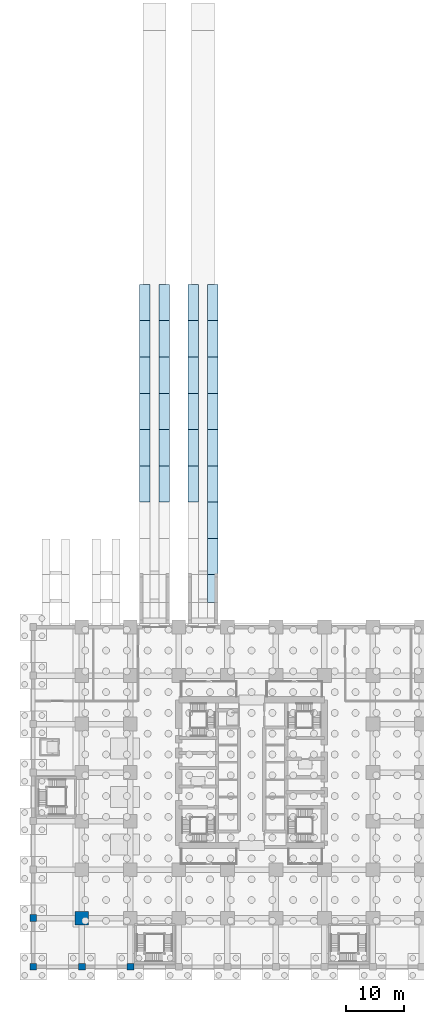
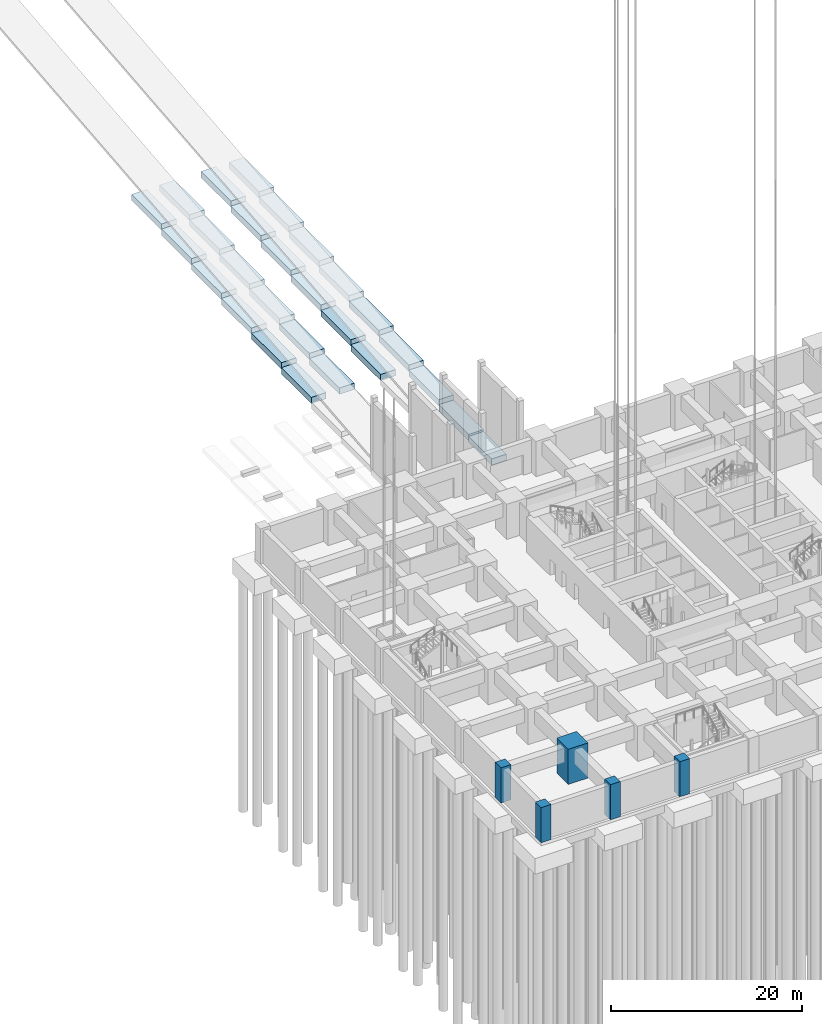
# One storey, part 3 of 28: 27 footings, 5 columns.
"""IFC4 building model written with IfcOpenShell, lengths in metres."""

from ifc_helpers import new_model, si_unit, direction, frame, origin, origin_2d, place, context, subcontext, project, spatial, rectangle, extrude, material, material_profile, profile_set, type_object, element, save


model = new_model("IFC4")

# Units and contexts
model_context = context("Model", 3, precision=1e-05, world=origin(), true_north=direction((0.0, 1.0)))
body_context = subcontext(model_context, "Body", "Model", "MODEL_VIEW")
ifc_project = project(units=[si_unit("LENGTHUNIT", "METRE"), si_unit("AREAUNIT", "SQUARE_METRE"), si_unit("VOLUMEUNIT", "CUBIC_METRE"), si_unit("PLANEANGLEUNIT", "RADIAN"), si_unit("MASSUNIT", "GRAM", prefix="KILO")], contexts=[model_context])

# Site, building, storey
site_placement = place(None, origin())
site = spatial("IfcSite", under=ifc_project, at=site_placement, CompositionType="ELEMENT")
building_placement = place(site_placement, origin())
building = spatial("IfcBuilding", under=site, at=building_placement, Name="Rekha Terrace Tower", CompositionType="ELEMENT")
storey_placement = place(building_placement, frame((0.0, 0.0, -9.89990234375)))
storey = spatial("IfcBuildingStorey", under=building, at=storey_placement, Name="B-02", CompositionType="ELEMENT", Elevation=-9.89990234375)

# Footings
ifc_material_1 = material(Name="Concrete M40", Category="concrete")
footing_type = type_object("IfcFootingType", Name="FS2 1800x800 strip footing", PredefinedType="STRIP_FOOTING", material=ifc_material_1)
for number, where, z_axis, x_axis, name in (
    (1, (19.300048828125, 83.60009765625, 0.39599609375), (0.0, 0.0, 1.0), (1.0, 0.0, 0.0), "Ramp 3 strip footing FS2 W5"),
    (2, (19.300048828125, 89.8798828125, 1.02392578125), (0.0, 0.0, 1.0), (1.0, 0.0, 0.0), "Ramp 3 strip footing FS2 W6"),
    (3, (19.300048828125, 96.159912109375, 1.65185546875), (0.0, 0.0, 1.0), (1.0, 0.0, 0.0), "Ramp 3 strip footing FS2 W7"),
    (4, (19.300048828125, 102.43994140625, 2.27978515625), (0.0, 0.0, 1.0), (1.0, 0.0, 0.0), "Ramp 3 strip footing FS2 W8"),
    (5, (19.300048828125, 108.719970703125, 2.90771484375), (0.0, 0.0, 1.0), (1.0, 0.0, 0.0), "Ramp 3 strip footing FS2 W9"),
    (6, (19.300048828125, 115.0, 3.53564453125), (0.0, 0.0, 1.0), (1.0, 0.0, 0.0), "Ramp 3 strip footing FS2 W10"),
    (7, (22.699951171875, 83.60009765625, 0.39599609375), (0.0, 0.0, 1.0), (1.0, 0.0, 0.0), "Ramp 3 strip footing FS2 E5"),
    (8, (22.699951171875, 89.8798828125, 1.02392578125), (0.0, 0.0, 1.0), (1.0, 0.0, 0.0), "Ramp 3 strip footing FS2 E6"),
    (9, (22.699951171875, 96.159912109375, 1.65185546875), (0.0, 0.0, 1.0), (1.0, 0.0, 0.0), "Ramp 3 strip footing FS2 E7"),
    (10, (22.699951171875, 102.43994140625, 2.27978515625), (0.0, 0.0, 1.0), (1.0, 0.0, 0.0), "Ramp 3 strip footing FS2 E8"),
    (11, (22.699951171875, 108.719970703125, 2.90771484375), (0.0, 0.0, 1.0), (1.0, 0.0, 0.0), "Ramp 3 strip footing FS2 E9"),
    (12, (22.699951171875, 115.0, 3.53564453125), (0.0, 0.0, 1.0), (1.0, 0.0, 0.0), "Ramp 3 strip footing FS2 E10"),
    (13, (27.699951171875, 83.60009765625, 0.39599609375), (0.0, 0.0, 1.0), (1.0, 0.0, 0.0), "Ramp 4 strip footing FS2 W5"),
    (14, (27.699951171875, 89.8798828125, 1.02392578125), (0.0, 0.0, 1.0), (1.0, 0.0, 0.0), "Ramp 4 strip footing FS2 W6"),
    (15, (27.699951171875, 96.159912109375, 1.65185546875), (0.0, 0.0, 1.0), (1.0, 0.0, 0.0), "Ramp 4 strip footing FS2 W7"),
    (16, (27.699951171875, 102.43994140625, 2.27978515625), (0.0, 0.0, 1.0), (1.0, 0.0, 0.0), "Ramp 4 strip footing FS2 W8"),
    (17, (27.699951171875, 108.719970703125, 2.90771484375), (0.0, 0.0, 1.0), (1.0, 0.0, 0.0), "Ramp 4 strip footing FS2 W9"),
    (18, (27.699951171875, 115.0, 3.53564453125), (0.0, 0.0, 1.0), (1.0, 0.0, 0.0), "Ramp 4 strip footing FS2 W10"),
):
    element("IfcFooting", number, at=place(storey_placement, frame(where, z_axis=z_axis, x_axis=x_axis)), inside=storey, type_object=footing_type, Name=name, PredefinedType="STRIP_FOOTING", context=body_context, shape_type="SweptSolid", body=[
        extrude(rectangle(XDim=1.800048828125, YDim=6.280029296875, at=origin_2d()), origin(), (0.0, 0.0, 1.0), 0.800048828125),
    ])
footing_placement = place(storey_placement, frame((31.10009765625, 65.5, -1.10009765625), z_axis=(0.0, 0.0, 1.0), x_axis=(1.0, 0.0, 0.0)))
element("IfcFooting", 19, at=footing_placement, inside=storey, type_object=footing_type, Name="Ramp 4 strip footing FS2 E2", PredefinedType="STRIP_FOOTING", context=body_context, shape_type="SweptSolid", body=[
    extrude(rectangle(XDim=1.800048828125, YDim=4.800048828125, at=origin_2d()), origin(), (0.0, 0.0, 1.0), 0.800048828125),
])
for number, where, z_axis, x_axis, name in (
    (20, (31.10009765625, 71.0400390625, -0.8603515625), (0.0, 0.0, 1.0), (1.0, 0.0, 0.0), "Ramp 4 strip footing FS2 E3"),
    (21, (31.10009765625, 77.320068359375, -0.23193359375), (0.0, 0.0, 1.0), (1.0, 0.0, 0.0), "Ramp 4 strip footing FS2 E4"),
    (22, (31.10009765625, 83.60009765625, 0.39599609375), (0.0, 0.0, 1.0), (1.0, 0.0, 0.0), "Ramp 4 strip footing FS2 E5"),
    (23, (31.10009765625, 89.8798828125, 1.02392578125), (0.0, 0.0, 1.0), (1.0, 0.0, 0.0), "Ramp 4 strip footing FS2 E6"),
    (24, (31.10009765625, 96.159912109375, 1.65185546875), (0.0, 0.0, 1.0), (1.0, 0.0, 0.0), "Ramp 4 strip footing FS2 E7"),
    (25, (31.10009765625, 102.43994140625, 2.27978515625), (0.0, 0.0, 1.0), (1.0, 0.0, 0.0), "Ramp 4 strip footing FS2 E8"),
    (26, (31.10009765625, 108.719970703125, 2.90771484375), (0.0, 0.0, 1.0), (1.0, 0.0, 0.0), "Ramp 4 strip footing FS2 E9"),
    (27, (31.10009765625, 115.0, 3.53564453125), (0.0, 0.0, 1.0), (1.0, 0.0, 0.0), "Ramp 4 strip footing FS2 E10"),
):
    element("IfcFooting", number, at=place(storey_placement, frame(where, z_axis=z_axis, x_axis=x_axis)), inside=storey, type_object=footing_type, Name=name, PredefinedType="STRIP_FOOTING", context=body_context, shape_type="SweptSolid", body=[
        extrude(rectangle(XDim=1.800048828125, YDim=6.280029296875, at=origin_2d()), origin(), (0.0, 0.0, 1.0), 0.800048828125),
    ])

# Columns
ifc_material_2 = material(Name="Concrete M70", Category="concrete")
ifc_material_profile_1 = material_profile(ifc_material_2, rectangle(XDim=2.39990234375, YDim=2.39990234375, at=origin_2d()), Name="RC 2400x2400")
ifc_profile_set_1 = profile_set([ifc_material_profile_1], Name="Concrete M70")
column_type_1 = type_object("IfcColumnType", Name="C1 2400x2400 column", PredefinedType="COLUMN", material=ifc_profile_set_1)
column_placement = place(storey_placement, frame((8.39990234375, 8.39990234375, 0.0), z_axis=(0.0, 0.0, 1.0), x_axis=(1.0, 0.0, 0.0)))
element("IfcColumn", 28, at=column_placement, inside=storey, type_object=column_type_1, Name="Column C1 2/B B-02", PredefinedType="COLUMN", context=body_context, shape_type="SweptSolid", body=[
    extrude(rectangle(XDim=2.39990234375, YDim=2.39990234375, at=origin_2d()), origin(), (0.0, 0.0, 1.0), 4.5),
])
ifc_material_3 = material(Name="Concrete M60", Category="concrete")
ifc_material_profile_2 = material_profile(ifc_material_3, rectangle(XDim=1.199951171875, YDim=1.199951171875, at=origin_2d()), Name="RC 1200x1200")
ifc_profile_set_2 = profile_set([ifc_material_profile_2], Name="Concrete M60")
column_type_2 = type_object("IfcColumnType", Name="C6 1200x1200 podium column", PredefinedType="COLUMN", material=ifc_profile_set_2)
for number, where, z_axis, x_axis, name in (
    (29, (0.0, 0.0, 0.0), (0.0, 0.0, 1.0), (1.0, 0.0, 0.0), "Column C6 1/A B-02"),
    (30, (0.0, 8.39990234375, 0.0), (0.0, 0.0, 1.0), (1.0, 0.0, 0.0), "Column C6 1/B B-02"),
    (31, (8.39990234375, 0.0, 0.0), (0.0, 0.0, 1.0), (1.0, 0.0, 0.0), "Column C6 2/A B-02"),
    (32, (16.800048828125, 0.0, 0.0), (0.0, 0.0, 1.0), (1.0, 0.0, 0.0), "Column C6 3/A B-02"),
):
    element("IfcColumn", number, at=place(storey_placement, frame(where, z_axis=z_axis, x_axis=x_axis)), inside=storey, type_object=column_type_2, Name=name, PredefinedType="COLUMN", context=body_context, shape_type="SweptSolid", body=[
        extrude(rectangle(XDim=1.199951171875, YDim=1.199951171875, at=origin_2d()), origin(), (0.0, 0.0, 1.0), 4.5),
    ])

save(model, "model.ifc")
